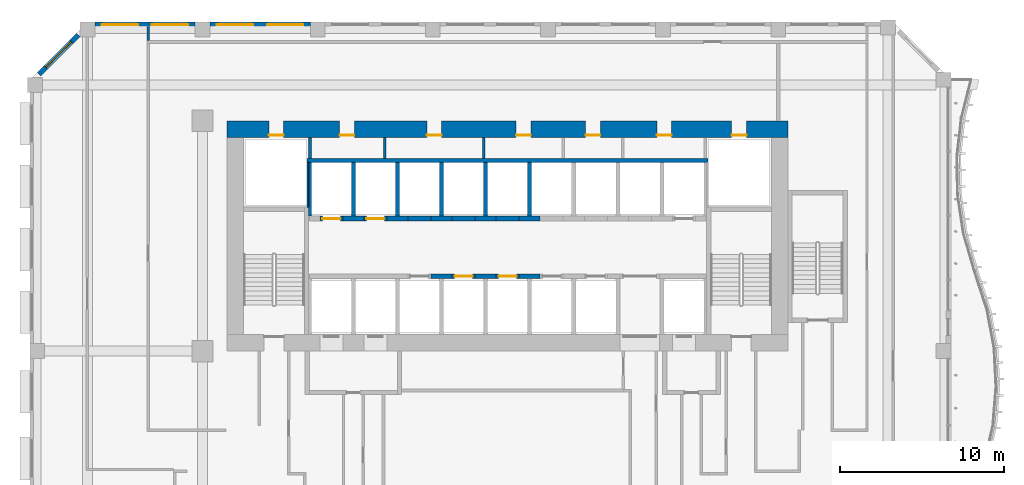
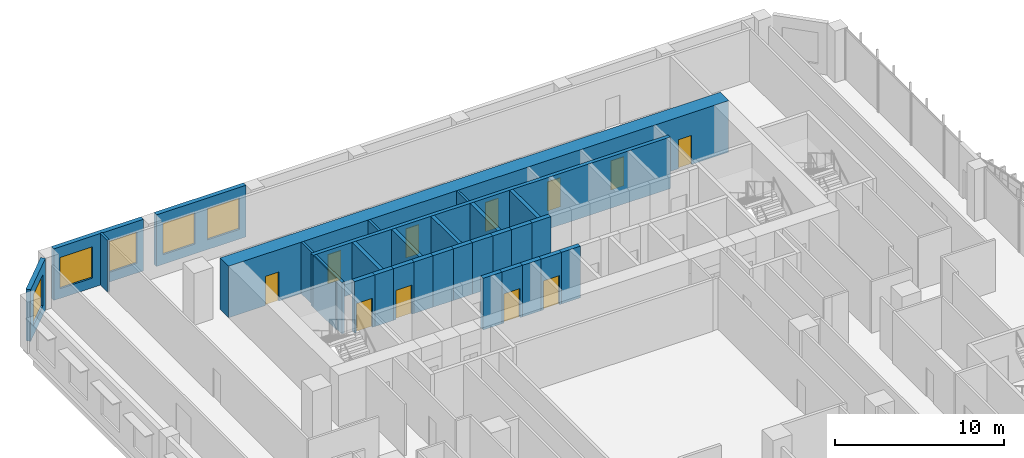
# One storey, part 13 of 27: 31 walls, 11 doors, 5 windows, 16 openings.
"""IFC4 building model written with IfcOpenShell, lengths in metres."""

from ifc_helpers import new_model, si_unit, direction, frame, frame_2d, origin, place, context, subcontext, project, spatial, rectangle, extrude, source, transform, mapped, material, layer, layer_set, type_object, element, fill, save


model = new_model("IFC4")

# Units and contexts
model_context = context("Model", 3, precision=1e-05, world=origin(), true_north=direction((0.0, 1.0)))
body_context = subcontext(model_context, "Body", "Model", "MODEL_VIEW")
ifc_project = project(units=[si_unit("LENGTHUNIT", "METRE"), si_unit("AREAUNIT", "SQUARE_METRE"), si_unit("VOLUMEUNIT", "CUBIC_METRE"), si_unit("PLANEANGLEUNIT", "RADIAN"), si_unit("MASSUNIT", "GRAM", prefix="KILO")], contexts=[model_context])

# Site, building, storey
site_placement = place(None, origin())
site = spatial("IfcSite", under=ifc_project, at=site_placement, CompositionType="ELEMENT")
building_placement = place(site_placement, origin())
building = spatial("IfcBuilding", under=site, at=building_placement, Name="Kilnfold Tower and Market Hall", CompositionType="ELEMENT")
storey_placement = place(building_placement, frame((0.0, 0.0, 47.0)))
storey = spatial("IfcBuildingStorey", under=building, at=storey_placement, Name="L10", CompositionType="ELEMENT", Elevation=47.0)

# Wall
ifc_material_1 = material(Name="Gypsum board on steel studs", Category="steel")
ifc_layer_1 = layer(ifc_material_1, 0.14990234375)
ifc_layer_set_1 = layer_set([ifc_layer_1], Name="Gypsum board on steel studs")
wall_type_1 = type_object("IfcWallType", Name="WALL CORRIDOR 150", PredefinedType="PARTITIONING", material=ifc_layer_set_1)
wall_1_placement = place(storey_placement, frame((-20.800048828125, 26.89111328125, 0.0), z_axis=(0.0, 0.0, 1.0), x_axis=(0.0, 1.0, 0.0)))
element("IfcWall", 1, at=wall_1_placement, inside=storey, type_object=wall_type_1, Name="Partition LY09.53", PredefinedType="PARTITIONING", context=body_context, shape_type="SweptSolid", body=[
    extrude(rectangle(XDim=0.85888671875, YDim=0.14990234375, at=frame_2d((0.429443359375, 0.0))), origin(), (0.0, 0.0, 1.0), 3.719970703125),
])

# Wall, openings, doors
ifc_material_2 = material(Name="Concrete C80", Category="concrete")
ifc_layer_2 = layer(ifc_material_2, 1.0)
ifc_layer_set_2 = layer_set([ifc_layer_2], Name="Concrete C80")
wall_type_2 = type_object("IfcWallType", Name="CORE WALL 1000 C80", PredefinedType="SHEAR", material=ifc_layer_set_2)
shared_shape_1 = source(origin(), body_context, "Body", "SweptSolid", [
    extrude(rectangle(XDim=34.10009765625, YDim=1.0, at=frame_2d((17.050048828125, 0.0))), origin(), (0.0, 0.0, 1.0), 3.719970703125),
])
wall_2_placement = place(storey_placement, frame((-16.0, 21.5, 0.0), z_axis=(0.0, 0.0, 1.0), x_axis=(1.0, 0.0, 0.0)))
wall_2 = element("IfcWall", 2, at=wall_2_placement, inside=storey, type_object=wall_type_2, Name="Core outer wall north", PredefinedType="SHEAR", context=body_context, shape_type="MappedRepresentation", body=[
    mapped(shared_shape_1, transform((0.0, 0.0, 0.0))),
])
opening_1_placement = place(wall_2_placement, frame((6.831298828125, 0.0, 0.0)))
opening_1 = element("IfcOpeningElement", 3, at=opening_1_placement, cuts=wall_2, Name="Opening KD1", PredefinedType="OPENING", context=body_context, shape_type="SweptSolid", body=[
    extrude(rectangle(XDim=0.89990234375, YDim=2.10009765625, at=frame_2d((0.449951171875, 1.050048828125))), frame((0.0, 0.510009765625, 0.0), z_axis=(0.0, -1.0, 0.0), x_axis=(1.0, 0.0, 0.0)), (0.0, 0.0, 1.0), 1.02001953125),
])
opening_2_placement = place(wall_2_placement, frame((12.1376953125, 0.0, 0.0)))
opening_2 = element("IfcOpeningElement", 4, at=opening_2_placement, cuts=wall_2, Name="Opening KD1", PredefinedType="OPENING", context=body_context, shape_type="SweptSolid", body=[
    extrude(rectangle(XDim=0.89990234375, YDim=2.10009765625, at=frame_2d((0.449951171875, 1.050048828125))), frame((0.0, 0.510009765625, 0.0), z_axis=(0.0, -1.0, 0.0), x_axis=(1.0, 0.0, 0.0)), (0.0, 0.0, 1.0), 1.02001953125),
])
opening_3_placement = place(wall_2_placement, frame((17.564697265625, 0.0, 0.0)))
opening_3 = element("IfcOpeningElement", 5, at=opening_3_placement, cuts=wall_2, Name="Opening KD1", PredefinedType="OPENING", context=body_context, shape_type="SweptSolid", body=[
    extrude(rectangle(XDim=0.89990234375, YDim=2.10009765625, at=frame_2d((0.449951171875, 1.050048828125))), frame((0.0, 0.510009765625, 0.0), z_axis=(0.0, -1.0, 0.0), x_axis=(1.0, 0.0, 0.0)), (0.0, 0.0, 1.0), 1.02001953125),
])
opening_4_placement = place(wall_2_placement, frame((21.785888671875, 0.0, 0.0)))
opening_4 = element("IfcOpeningElement", 6, at=opening_4_placement, cuts=wall_2, Name="Opening KD1", PredefinedType="OPENING", context=body_context, shape_type="SweptSolid", body=[
    extrude(rectangle(XDim=0.89990234375, YDim=2.10009765625, at=frame_2d((0.449951171875, 1.050048828125))), frame((0.0, 0.510009765625, 0.0), z_axis=(0.0, -1.0, 0.0), x_axis=(1.0, 0.0, 0.0)), (0.0, 0.0, 1.0), 1.02001953125),
])
opening_5_placement = place(wall_2_placement, frame((26.12744140625, 0.0, 0.0)))
opening_5 = element("IfcOpeningElement", 7, at=opening_5_placement, cuts=wall_2, Name="Opening KD1", PredefinedType="OPENING", context=body_context, shape_type="SweptSolid", body=[
    extrude(rectangle(XDim=0.89990234375, YDim=2.10009765625, at=frame_2d((0.449951171875, 1.050048828125))), frame((0.0, 0.510009765625, 0.0), z_axis=(0.0, -1.0, 0.0), x_axis=(1.0, 0.0, 0.0)), (0.0, 0.0, 1.0), 1.02001953125),
])
opening_6_placement = place(wall_2_placement, frame((2.52490234375, 0.0, 0.0)))
opening_6 = element("IfcOpeningElement", 8, at=opening_6_placement, cuts=wall_2, Name="Opening KD1", PredefinedType="OPENING", context=body_context, shape_type="SweptSolid", body=[
    extrude(rectangle(XDim=0.89990234375, YDim=2.10009765625, at=frame_2d((0.449951171875, 1.050048828125))), frame((0.0, 0.510009765625, 0.0), z_axis=(0.0, -1.0, 0.0), x_axis=(1.0, 0.0, 0.0)), (0.0, 0.0, 1.0), 1.02001953125),
])
opening_7_placement = place(wall_2_placement, frame((30.675048828125, 0.0, 0.0)))
opening_7 = element("IfcOpeningElement", 9, at=opening_7_placement, cuts=wall_2, Name="Opening KD1", PredefinedType="OPENING", context=body_context, shape_type="SweptSolid", body=[
    extrude(rectangle(XDim=0.89990234375, YDim=2.10009765625, at=frame_2d((0.449951171875, 1.050048828125))), frame((0.0, 0.510009765625, 0.0), z_axis=(0.0, -1.0, 0.0), x_axis=(1.0, 0.0, 0.0)), (0.0, 0.0, 1.0), 1.02001953125),
])
ifc_material_3 = material(Name="Steel door set with fire-resisting leaf", Category="steel")
door_type_1 = type_object("IfcDoorType", Name="SERVICE DOOR 900X2100", OperationType="NOTDEFINED", PredefinedType="DOOR", material=ifc_material_3)
door_1_placement = place(opening_1_placement, origin())
door_1 = element("IfcDoor", 10, at=door_1_placement, inside=storey, type_object=door_type_1, Name="Core service door", OperationType="SINGLE_SWING_RIGHT", OverallHeight=2.10009765625, OverallWidth=0.89990234375, PredefinedType="DOOR", context=body_context, shape_type="SweptSolid", body=[
    extrude(rectangle(XDim=0.89990234375, YDim=2.10009765625, at=frame_2d((0.449951171875, 1.050048828125))), frame((0.0, -0.35498046875, 0.0), z_axis=(0.0, -1.0, 0.0), x_axis=(1.0, 0.0, 0.0)), (0.0, 0.0, 1.0), 0.050048828125),
])
fill(opening_1, door_1)
door_2_placement = place(opening_2_placement, origin())
door_2 = element("IfcDoor", 11, at=door_2_placement, inside=storey, type_object=door_type_1, Name="Core service door", OperationType="SINGLE_SWING_LEFT", OverallHeight=2.10009765625, OverallWidth=0.89990234375, PredefinedType="DOOR", context=body_context, shape_type="SweptSolid", body=[
    extrude(rectangle(XDim=0.89990234375, YDim=2.10009765625, at=frame_2d((0.449951171875, 1.050048828125))), frame((0.0, -0.35498046875, 0.0), z_axis=(0.0, -1.0, 0.0), x_axis=(1.0, 0.0, 0.0)), (0.0, 0.0, 1.0), 0.050048828125),
])
fill(opening_2, door_2)
door_3_placement = place(opening_3_placement, origin())
door_3 = element("IfcDoor", 12, at=door_3_placement, inside=storey, type_object=door_type_1, Name="Core service door", OperationType="SINGLE_SWING_RIGHT", OverallHeight=2.10009765625, OverallWidth=0.89990234375, PredefinedType="DOOR", context=body_context, shape_type="SweptSolid", body=[
    extrude(rectangle(XDim=0.89990234375, YDim=2.10009765625, at=frame_2d((0.449951171875, 1.050048828125))), frame((0.0, -0.35498046875, 0.0), z_axis=(0.0, -1.0, 0.0), x_axis=(1.0, 0.0, 0.0)), (0.0, 0.0, 1.0), 0.050048828125),
])
fill(opening_3, door_3)
door_4_placement = place(opening_4_placement, origin())
door_4 = element("IfcDoor", 13, at=door_4_placement, inside=storey, type_object=door_type_1, Name="Core service door", OperationType="SINGLE_SWING_LEFT", OverallHeight=2.10009765625, OverallWidth=0.89990234375, PredefinedType="DOOR", context=body_context, shape_type="SweptSolid", body=[
    extrude(rectangle(XDim=0.89990234375, YDim=2.10009765625, at=frame_2d((0.449951171875, 1.050048828125))), frame((0.0, -0.35498046875, 0.0), z_axis=(0.0, -1.0, 0.0), x_axis=(1.0, 0.0, 0.0)), (0.0, 0.0, 1.0), 0.050048828125),
])
fill(opening_4, door_4)
door_5_placement = place(opening_5_placement, origin())
door_5 = element("IfcDoor", 14, at=door_5_placement, inside=storey, type_object=door_type_1, Name="Core service door", OperationType="SINGLE_SWING_RIGHT", OverallHeight=2.10009765625, OverallWidth=0.89990234375, PredefinedType="DOOR", context=body_context, shape_type="SweptSolid", body=[
    extrude(rectangle(XDim=0.89990234375, YDim=2.10009765625, at=frame_2d((0.449951171875, 1.050048828125))), frame((0.0, -0.35498046875, 0.0), z_axis=(0.0, -1.0, 0.0), x_axis=(1.0, 0.0, 0.0)), (0.0, 0.0, 1.0), 0.050048828125),
])
fill(opening_5, door_5)
door_6_placement = place(opening_6_placement, origin())
door_6 = element("IfcDoor", 15, at=door_6_placement, inside=storey, type_object=door_type_1, Name="Electrical riser access door", OperationType="SINGLE_SWING_LEFT", OverallHeight=2.10009765625, OverallWidth=0.89990234375, PredefinedType="DOOR", context=body_context, shape_type="SweptSolid", body=[
    extrude(rectangle(XDim=0.89990234375, YDim=2.10009765625, at=frame_2d((0.449951171875, 1.050048828125))), frame((0.0, -0.35498046875, 0.0), z_axis=(0.0, -1.0, 0.0), x_axis=(1.0, 0.0, 0.0)), (0.0, 0.0, 1.0), 0.050048828125),
])
fill(opening_6, door_6)
door_7_placement = place(opening_7_placement, origin())
door_7 = element("IfcDoor", 16, at=door_7_placement, inside=storey, type_object=door_type_1, Name="Mechanical riser access door", OperationType="SINGLE_SWING_RIGHT", OverallHeight=2.10009765625, OverallWidth=0.89990234375, PredefinedType="DOOR", context=body_context, shape_type="SweptSolid", body=[
    extrude(rectangle(XDim=0.89990234375, YDim=2.10009765625, at=frame_2d((0.449951171875, 1.050048828125))), frame((0.0, -0.35498046875, 0.0), z_axis=(0.0, -1.0, 0.0), x_axis=(1.0, 0.0, 0.0)), (0.0, 0.0, 1.0), 0.050048828125),
])
fill(opening_7, door_7)

# Walls
ifc_material_4 = material(Name="Concrete C80", Category="concrete")
ifc_layer_3 = layer(ifc_material_4, 0.300048828125)
ifc_layer_set_3 = layer_set([ifc_layer_3], Name="Concrete C80")
wall_type_3 = type_object("IfcWallType", Name="CORE WALL 300 C80", PredefinedType="SHEAR", material=ifc_layer_set_3)
shared_shape_2 = source(origin(), body_context, "Body", "SweptSolid", [
    extrude(rectangle(XDim=1.280029296875, YDim=0.300048828125, at=frame_2d((0.64013671875, 0.0))), origin(), (0.0, 0.0, 1.0), 3.719970703125),
])
for number, where, z_axis, x_axis, name in (
    (17, (-3.610107421875, 12.550048828125, 0.0), (0.0, 0.0, 1.0), (1.0, 0.0, 0.0), "Core spine wall"),
    (18, (-0.929931640625, 12.550048828125, 0.0), (0.0, 0.0, 1.0), (1.0, 0.0, 0.0), "Core spine wall"),
    (19, (1.75, 12.550048828125, 0.0), (0.0, 0.0, 1.0), (1.0, 0.0, 0.0), "Core spine wall"),
    (20, (-8.969970703125, 16.050048828125, 0.0), (0.0, 0.0, 1.0), (1.0, 0.0, 0.0), "Core spine wall"),
    (21, (-6.2900390625, 16.050048828125, 0.0), (0.0, 0.0, 1.0), (1.0, 0.0, 0.0), "Core spine wall"),
    (22, (-3.610107421875, 16.050048828125, 0.0), (0.0, 0.0, 1.0), (1.0, 0.0, 0.0), "Core spine wall"),
    (23, (-0.929931640625, 16.050048828125, 0.0), (0.0, 0.0, 1.0), (1.0, 0.0, 0.0), "Core spine wall"),
    (24, (1.75, 16.050048828125, 0.0), (0.0, 0.0, 1.0), (1.0, 0.0, 0.0), "Core spine wall"),
):
    element("IfcWall", number, at=place(storey_placement, frame(where, z_axis=z_axis, x_axis=x_axis)), inside=storey, type_object=wall_type_3, Name=name, PredefinedType="SHEAR", context=body_context, shape_type="MappedRepresentation", body=[
        mapped(shared_shape_2, transform((0.0, 0.0, 0.0))),
    ])

# Wall, opening, window
ifc_material_5 = material(Name="Precast concrete C50/60", Category="concrete")
ifc_layer_4 = layer(ifc_material_5, 0.300048828125)
ifc_layer_set_4 = layer_set([ifc_layer_4], Name="Precast concrete C50/60")
wall_type_4 = type_object("IfcWallType", Name="PRECAST WALL 300", PredefinedType="SOLIDWALL", material=ifc_layer_set_4)
shared_shape_3 = source(origin(), body_context, "Body", "SweptSolid", [
    extrude(rectangle(XDim=3.35888671875, YDim=0.300048828125, at=frame_2d((1.679443359375, 0.0))), origin(), (0.0, 0.0, 1.0), 3.719970703125),
])
wall_3_placement = place(storey_placement, frame((-25.06884765625, 27.218994140625, 0.0), z_axis=(0.0, 0.0, 1.0), x_axis=(-0.707143122278, -0.707070438228, 0.0)))
wall_3 = element("IfcWall", 25, at=wall_3_placement, inside=storey, type_object=wall_type_4, Name="External wall L10 NW", PredefinedType="SOLIDWALL", context=body_context, shape_type="MappedRepresentation", body=[
    mapped(shared_shape_3, transform((0.0, 0.0, 0.0))),
])
opening_8_placement = place(wall_3_placement, frame((0.579345703125, 0.0, 0.699951171875)))
opening_8 = element("IfcOpeningElement", 26, at=opening_8_placement, cuts=wall_3, Name="Opening W1", PredefinedType="OPENING", context=body_context, shape_type="SweptSolid", body=[
    extrude(rectangle(XDim=2.199951171875, YDim=2.25, at=frame_2d((1.10009765625, 1.125))), frame((0.0, 0.16015625, 0.0), z_axis=(0.0, -1.0, 0.0), x_axis=(1.0, 0.0, 0.0)), (0.0, 0.0, 1.0), 0.320068359375),
])
ifc_material_6 = material(Name="Aluminium frame and double glazing", Category="aluminium")
window_type = type_object("IfcWindowType", Name="WINDOW W1 2200X2250", PartitioningType="SINGLE_PANEL", PredefinedType="WINDOW", material=ifc_material_6)
window_1_placement = place(opening_8_placement, origin())
window_1 = element("IfcWindow", 27, at=window_1_placement, inside=storey, type_object=window_type, Name="Window W1 L10 NW-1", OverallHeight=2.25, OverallWidth=2.199951171875, PartitioningType="SINGLE_PANEL", PredefinedType="WINDOW", context=body_context, shape_type="SweptSolid", body=[
    extrude(rectangle(XDim=2.199951171875, YDim=2.25, at=frame_2d((1.10009765625, 1.125))), frame((0.0, 0.030029296875, 0.0), z_axis=(0.0, -1.0, 0.0), x_axis=(1.0, 0.0, 0.0)), (0.0, 0.0, 1.0), 0.06005859375),
])
fill(opening_8, window_1)

# Wall, openings, windows
shared_shape_4 = source(origin(), body_context, "Body", "SweptSolid", [
    extrude(rectangle(XDim=6.10009765625, YDim=0.300048828125, at=frame_2d((3.050048828125, 0.0))), origin(), (0.0, 0.0, 1.0), 3.719970703125),
])
wall_4_placement = place(storey_placement, frame((-10.949951171875, 27.85009765625, 0.0), z_axis=(0.0, 0.0, 1.0), x_axis=(-1.0, 0.0, 0.0)))
wall_4 = element("IfcWall", 28, at=wall_4_placement, inside=storey, type_object=wall_type_4, Name="External wall L10 N", PredefinedType="SOLIDWALL", context=body_context, shape_type="MappedRepresentation", body=[
    mapped(shared_shape_4, transform((0.0, 0.0, 0.0))),
])
opening_9_placement = place(wall_4_placement, frame((0.425048828125, 0.0, 0.699951171875)))
opening_9 = element("IfcOpeningElement", 29, at=opening_9_placement, cuts=wall_4, Name="Opening W1", PredefinedType="OPENING", context=body_context, shape_type="SweptSolid", body=[
    extrude(rectangle(XDim=2.199951171875, YDim=2.25, at=frame_2d((1.10009765625, 1.125))), frame((0.0, 0.16015625, 0.0), z_axis=(0.0, -1.0, 0.0), x_axis=(1.0, 0.0, 0.0)), (0.0, 0.0, 1.0), 0.320068359375),
])
opening_10_placement = place(wall_4_placement, frame((3.47509765625, 0.0, 0.699951171875)))
opening_10 = element("IfcOpeningElement", 30, at=opening_10_placement, cuts=wall_4, Name="Opening W1", PredefinedType="OPENING", context=body_context, shape_type="SweptSolid", body=[
    extrude(rectangle(XDim=2.199951171875, YDim=2.25, at=frame_2d((1.10009765625, 1.125))), frame((0.0, 0.16015625, 0.0), z_axis=(0.0, -1.0, 0.0), x_axis=(1.0, 0.0, 0.0)), (0.0, 0.0, 1.0), 0.320068359375),
])
window_2_placement = place(opening_9_placement, origin())
window_2 = element("IfcWindow", 31, at=window_2_placement, inside=storey, type_object=window_type, Name="Window W1 L10 N-1", OverallHeight=2.25, OverallWidth=2.199951171875, PartitioningType="SINGLE_PANEL", PredefinedType="WINDOW", context=body_context, shape_type="SweptSolid", body=[
    extrude(rectangle(XDim=2.199951171875, YDim=2.25, at=frame_2d((1.10009765625, 1.125))), frame((0.0, 0.030029296875, 0.0), z_axis=(0.0, -1.0, 0.0), x_axis=(1.0, 0.0, 0.0)), (0.0, 0.0, 1.0), 0.06005859375),
])
fill(opening_9, window_2)
window_3_placement = place(opening_10_placement, origin())
window_3 = element("IfcWindow", 32, at=window_3_placement, inside=storey, type_object=window_type, Name="Window W1 L10 N-2", OverallHeight=2.25, OverallWidth=2.199951171875, PartitioningType="SINGLE_PANEL", PredefinedType="WINDOW", context=body_context, shape_type="SweptSolid", body=[
    extrude(rectangle(XDim=2.199951171875, YDim=2.25, at=frame_2d((1.10009765625, 1.125))), frame((0.0, 0.030029296875, 0.0), z_axis=(0.0, -1.0, 0.0), x_axis=(1.0, 0.0, 0.0)), (0.0, 0.0, 1.0), 0.06005859375),
])
fill(opening_10, window_3)

wall_5_placement = place(storey_placement, frame((-17.949951171875, 27.85009765625, 0.0), z_axis=(0.0, 0.0, 1.0), x_axis=(-1.0, 0.0, 0.0)))
wall_5 = element("IfcWall", 33, at=wall_5_placement, inside=storey, type_object=wall_type_4, Name="External wall L10 N", PredefinedType="SOLIDWALL", context=body_context, shape_type="MappedRepresentation", body=[
    mapped(shared_shape_4, transform((0.0, 0.0, 0.0))),
])
opening_11_placement = place(wall_5_placement, frame((0.425048828125, 0.0, 0.699951171875)))
opening_11 = element("IfcOpeningElement", 34, at=opening_11_placement, cuts=wall_5, Name="Opening W1", PredefinedType="OPENING", context=body_context, shape_type="SweptSolid", body=[
    extrude(rectangle(XDim=2.199951171875, YDim=2.25, at=frame_2d((1.10009765625, 1.125))), frame((0.0, 0.16015625, 0.0), z_axis=(0.0, -1.0, 0.0), x_axis=(1.0, 0.0, 0.0)), (0.0, 0.0, 1.0), 0.320068359375),
])
opening_12_placement = place(wall_5_placement, frame((3.47509765625, 0.0, 0.699951171875)))
opening_12 = element("IfcOpeningElement", 35, at=opening_12_placement, cuts=wall_5, Name="Opening W1", PredefinedType="OPENING", context=body_context, shape_type="SweptSolid", body=[
    extrude(rectangle(XDim=2.199951171875, YDim=2.25, at=frame_2d((1.10009765625, 1.125))), frame((0.0, 0.16015625, 0.0), z_axis=(0.0, -1.0, 0.0), x_axis=(1.0, 0.0, 0.0)), (0.0, 0.0, 1.0), 0.320068359375),
])
window_4_placement = place(opening_11_placement, origin())
window_4 = element("IfcWindow", 36, at=window_4_placement, inside=storey, type_object=window_type, Name="Window W1 L10 N-1", OverallHeight=2.25, OverallWidth=2.199951171875, PartitioningType="SINGLE_PANEL", PredefinedType="WINDOW", context=body_context, shape_type="SweptSolid", body=[
    extrude(rectangle(XDim=2.199951171875, YDim=2.25, at=frame_2d((1.10009765625, 1.125))), frame((0.0, 0.030029296875, 0.0), z_axis=(0.0, -1.0, 0.0), x_axis=(1.0, 0.0, 0.0)), (0.0, 0.0, 1.0), 0.06005859375),
])
fill(opening_11, window_4)
window_5_placement = place(opening_12_placement, origin())
window_5 = element("IfcWindow", 37, at=window_5_placement, inside=storey, type_object=window_type, Name="Window W1 L10 N-2", OverallHeight=2.25, OverallWidth=2.199951171875, PartitioningType="SINGLE_PANEL", PredefinedType="WINDOW", context=body_context, shape_type="SweptSolid", body=[
    extrude(rectangle(XDim=2.199951171875, YDim=2.25, at=frame_2d((1.10009765625, 1.125))), frame((0.0, 0.030029296875, 0.0), z_axis=(0.0, -1.0, 0.0), x_axis=(1.0, 0.0, 0.0)), (0.0, 0.0, 1.0), 0.06005859375),
])
fill(opening_12, window_5)

# Wall, opening, door
ifc_material_7 = material(Name="Gypsum shaft wall system")
ifc_layer_5 = layer(ifc_material_7, 0.300048828125)
ifc_layer_set_5 = layer_set([ifc_layer_5], Name="Gypsum shaft wall system")
wall_type_5 = type_object("IfcWallType", Name="SHAFT WALL 300", PredefinedType="PARTITIONING", material=ifc_layer_set_5)
shared_shape_5 = source(origin(), body_context, "Body", "SweptSolid", [
    extrude(rectangle(XDim=1.39990234375, YDim=0.300048828125, at=frame_2d((0.699951171875, 0.0))), origin(), (0.0, 0.0, 1.0), 3.719970703125),
])
wall_6_placement = place(storey_placement, frame((0.35009765625, 12.550048828125, 0.0), z_axis=(0.0, 0.0, 1.0), x_axis=(1.0, 0.0, 0.0)))
wall_6 = element("IfcWall", 38, at=wall_6_placement, inside=storey, type_object=wall_type_5, Name="Lift shaft front wall", PredefinedType="PARTITIONING", context=body_context, shape_type="MappedRepresentation", body=[
    mapped(shared_shape_5, transform((0.0, 0.0, 0.0))),
])
opening_13_placement = place(wall_6_placement, frame((0.14990234375, 0.0, 0.0)))
opening_13 = element("IfcOpeningElement", 39, at=opening_13_placement, cuts=wall_6, Name="Opening LD2", PredefinedType="OPENING", context=body_context, shape_type="SweptSolid", body=[
    extrude(rectangle(XDim=1.10009765625, YDim=2.10009765625, at=frame_2d((0.550048828125, 1.050048828125))), frame((0.0, 0.16015625, 0.0), z_axis=(0.0, -1.0, 0.0), x_axis=(1.0, 0.0, 0.0)), (0.0, 0.0, 1.0), 0.320068359375),
])
ifc_material_8 = material(Name="Steel door set with fire-resisting leaf", Category="steel")
door_type_2 = type_object("IfcDoorType", Name="LANDING DOOR 1100X2100", OperationType="NOTDEFINED", PredefinedType="DOOR", material=ifc_material_8)
door_8_placement = place(opening_13_placement, origin())
door_8 = element("IfcDoor", 40, at=door_8_placement, inside=storey, type_object=door_type_2, Name="Landing door LR3", OperationType="DOUBLE_DOOR_SLIDING", OverallHeight=2.10009765625, OverallWidth=1.10009765625, PredefinedType="DOOR", context=body_context, shape_type="SweptSolid", body=[
    extrude(rectangle(XDim=1.10009765625, YDim=2.10009765625, at=frame_2d((0.550048828125, 1.050048828125))), frame((0.0, 0.02490234375, 0.0), z_axis=(0.0, -1.0, 0.0), x_axis=(1.0, 0.0, 0.0)), (0.0, 0.0, 1.0), 0.050048828125),
])
fill(opening_13, door_8)

wall_7_placement = place(storey_placement, frame((-7.68994140625, 16.050048828125, 0.0), z_axis=(0.0, 0.0, 1.0), x_axis=(1.0, 0.0, 0.0)))
wall_7 = element("IfcWall", 41, at=wall_7_placement, inside=storey, type_object=wall_type_5, Name="Lift shaft front wall", PredefinedType="PARTITIONING", context=body_context, shape_type="MappedRepresentation", body=[
    mapped(shared_shape_5, transform((0.0, 0.0, 0.0))),
])
opening_14_placement = place(wall_7_placement, frame((0.14990234375, 0.0, 0.0)))
opening_14 = element("IfcOpeningElement", 42, at=opening_14_placement, cuts=wall_7, Name="Opening LD2", PredefinedType="OPENING", context=body_context, shape_type="SweptSolid", body=[
    extrude(rectangle(XDim=1.10009765625, YDim=2.10009765625, at=frame_2d((0.550048828125, 1.050048828125))), frame((0.0, 0.16015625, 0.0), z_axis=(0.0, -1.0, 0.0), x_axis=(1.0, 0.0, 0.0)), (0.0, 0.0, 1.0), 0.320068359375),
])
door_9_placement = place(opening_14_placement, origin())
door_9 = element("IfcDoor", 43, at=door_9_placement, inside=storey, type_object=door_type_2, Name="Landing door LR8", OperationType="DOUBLE_DOOR_SLIDING", OverallHeight=2.10009765625, OverallWidth=1.10009765625, PredefinedType="DOOR", context=body_context, shape_type="SweptSolid", body=[
    extrude(rectangle(XDim=1.10009765625, YDim=2.10009765625, at=frame_2d((0.550048828125, 1.050048828125))), frame((0.0, 0.02490234375, 0.0), z_axis=(0.0, -1.0, 0.0), x_axis=(1.0, 0.0, 0.0)), (0.0, 0.0, 1.0), 0.050048828125),
])
fill(opening_14, door_9)

# Walls
for number, where, z_axis, x_axis, name in (
    (44, (-5.010009765625, 16.050048828125, 0.0), (0.0, 0.0, 1.0), (1.0, 0.0, 0.0), "Lift shaft front wall"),
    (45, (0.35009765625, 16.050048828125, 0.0), (0.0, 0.0, 1.0), (1.0, 0.0, 0.0), "Lift shaft front wall"),
):
    element("IfcWall", number, at=place(storey_placement, frame(where, z_axis=z_axis, x_axis=x_axis)), inside=storey, type_object=wall_type_5, Name=name, PredefinedType="PARTITIONING", context=body_context, shape_type="MappedRepresentation", body=[
        mapped(shared_shape_5, transform((0.0, 0.0, 0.0))),
    ])

# Wall, opening, door
shared_shape_6 = source(origin(), body_context, "Body", "SweptSolid", [
    extrude(rectangle(XDim=1.400146484375, YDim=0.300048828125, at=frame_2d((0.7001953125, 0.0))), origin(), (0.0, 0.0, 1.0), 3.719970703125),
])
wall_8_placement = place(storey_placement, frame((-2.330078125, 12.550048828125, 0.0), z_axis=(0.0, 0.0, 1.0), x_axis=(1.0, 0.0, 0.0)))
wall_8 = element("IfcWall", 46, at=wall_8_placement, inside=storey, type_object=wall_type_5, Name="Lift shaft front wall", PredefinedType="PARTITIONING", context=body_context, shape_type="MappedRepresentation", body=[
    mapped(shared_shape_6, transform((0.0, 0.0, 0.0))),
])
opening_15_placement = place(wall_8_placement, frame((0.14990234375, 0.0, 0.0)))
opening_15 = element("IfcOpeningElement", 47, at=opening_15_placement, cuts=wall_8, Name="Opening LD2", PredefinedType="OPENING", context=body_context, shape_type="SweptSolid", body=[
    extrude(rectangle(XDim=1.10009765625, YDim=2.10009765625, at=frame_2d((0.550048828125, 1.050048828125))), frame((0.0, 0.16015625, 0.0), z_axis=(0.0, -1.0, 0.0), x_axis=(1.0, 0.0, 0.0)), (0.0, 0.0, 1.0), 0.320068359375),
])
door_10_placement = place(opening_15_placement, origin())
door_10 = element("IfcDoor", 48, at=door_10_placement, inside=storey, type_object=door_type_2, Name="Landing door LR2", OperationType="DOUBLE_DOOR_SLIDING", OverallHeight=2.10009765625, OverallWidth=1.10009765625, PredefinedType="DOOR", context=body_context, shape_type="SweptSolid", body=[
    extrude(rectangle(XDim=1.10009765625, YDim=2.10009765625, at=frame_2d((0.550048828125, 1.050048828125))), frame((0.0, 0.02490234375, 0.0), z_axis=(0.0, -1.0, 0.0), x_axis=(1.0, 0.0, 0.0)), (0.0, 0.0, 1.0), 0.050048828125),
])
fill(opening_15, door_10)

wall_9_placement = place(storey_placement, frame((-10.3701171875, 16.050048828125, 0.0), z_axis=(0.0, 0.0, 1.0), x_axis=(1.0, 0.0, 0.0)))
wall_9 = element("IfcWall", 49, at=wall_9_placement, inside=storey, type_object=wall_type_5, Name="Lift shaft front wall", PredefinedType="PARTITIONING", context=body_context, shape_type="MappedRepresentation", body=[
    mapped(shared_shape_6, transform((0.0, 0.0, 0.0))),
])
opening_16_placement = place(wall_9_placement, frame((0.14990234375, 0.0, 0.0)))
opening_16 = element("IfcOpeningElement", 50, at=opening_16_placement, cuts=wall_9, Name="Opening LD2", PredefinedType="OPENING", context=body_context, shape_type="SweptSolid", body=[
    extrude(rectangle(XDim=1.10009765625, YDim=2.10009765625, at=frame_2d((0.550048828125, 1.050048828125))), frame((0.0, 0.16015625, 0.0), z_axis=(0.0, -1.0, 0.0), x_axis=(1.0, 0.0, 0.0)), (0.0, 0.0, 1.0), 0.320068359375),
])
door_11_placement = place(opening_16_placement, origin())
door_11 = element("IfcDoor", 51, at=door_11_placement, inside=storey, type_object=door_type_2, Name="Landing door LR7", OperationType="DOUBLE_DOOR_SLIDING", OverallHeight=2.10009765625, OverallWidth=1.10009765625, PredefinedType="DOOR", context=body_context, shape_type="SweptSolid", body=[
    extrude(rectangle(XDim=1.10009765625, YDim=2.10009765625, at=frame_2d((0.550048828125, 1.050048828125))), frame((0.0, 0.02490234375, 0.0), z_axis=(0.0, -1.0, 0.0), x_axis=(1.0, 0.0, 0.0)), (0.0, 0.0, 1.0), 0.050048828125),
])
fill(opening_16, door_11)

# Walls
wall_10_placement = place(storey_placement, frame((-2.330078125, 16.050048828125, 0.0), z_axis=(0.0, 0.0, 1.0), x_axis=(1.0, 0.0, 0.0)))
element("IfcWall", 52, at=wall_10_placement, inside=storey, type_object=wall_type_5, Name="Lift shaft front wall", PredefinedType="PARTITIONING", context=body_context, shape_type="MappedRepresentation", body=[
    mapped(shared_shape_6, transform((0.0, 0.0, 0.0))),
])
ifc_material_9 = material(Name="Gypsum shaft wall system")
ifc_layer_6 = layer(ifc_material_9, 0.25)
ifc_layer_set_6 = layer_set([ifc_layer_6], Name="Gypsum shaft wall system")
wall_type_6 = type_object("IfcWallType", Name="SHAFT WALL 250", PredefinedType="PARTITIONING", material=ifc_layer_set_6)
shared_shape_7 = source(origin(), body_context, "Body", "SweptSolid", [
    extrude(rectangle(XDim=24.3701171875, YDim=0.25, at=frame_2d((12.18505859375, 0.0))), origin(), (0.0, 0.0, 1.0), 3.719970703125),
])
wall_11_placement = place(storey_placement, frame((-11.135009765625, 19.60009765625, 0.0), z_axis=(0.0, 0.0, 1.0), x_axis=(1.0, 0.0, 0.0)))
element("IfcWall", 53, at=wall_11_placement, inside=storey, type_object=wall_type_6, Name="Lift shaft wall", PredefinedType="PARTITIONING", context=body_context, shape_type="MappedRepresentation", body=[
    mapped(shared_shape_7, transform((0.0, 0.0, 0.0))),
])
ifc_material_10 = material(Name="Gypsum shaft wall system")
ifc_layer_7 = layer(ifc_material_10, 0.1650390625)
ifc_layer_set_7 = layer_set([ifc_layer_7], Name="Gypsum shaft wall system")
wall_type_7 = type_object("IfcWallType", Name="SHAFT WALL 165", PredefinedType="PARTITIONING", material=ifc_layer_set_7)
shared_shape_8 = source(origin(), body_context, "Body", "SweptSolid", [
    extrude(rectangle(XDim=3.275146484375, YDim=0.1650390625, at=frame_2d((1.6376953125, 0.0))), origin(), (0.0, 0.0, 1.0), 3.719970703125),
])
wall_12_placement = place(storey_placement, frame((-10.967529296875, 16.199951171875, 0.0), z_axis=(0.0, 0.0, 1.0), x_axis=(0.0, 1.0, 0.0)))
element("IfcWall", 54, at=wall_12_placement, inside=storey, type_object=wall_type_7, Name="Lift shaft wall", PredefinedType="PARTITIONING", context=body_context, shape_type="MappedRepresentation", body=[
    mapped(shared_shape_8, transform((0.0, 0.0, 0.0))),
])
shared_shape_9 = source(origin(), body_context, "Body", "SweptSolid", [
    extrude(rectangle(XDim=1.27490234375, YDim=0.1650390625, at=frame_2d((0.637451171875, 0.0))), origin(), (0.0, 0.0, 1.0), 3.719970703125),
])
wall_13_placement = place(storey_placement, frame((-10.967529296875, 19.72509765625, 0.0), z_axis=(0.0, 0.0, 1.0), x_axis=(0.0, 1.0, 0.0)))
element("IfcWall", 55, at=wall_13_placement, inside=storey, type_object=wall_type_7, Name="Lift shaft wall", PredefinedType="PARTITIONING", context=body_context, shape_type="MappedRepresentation", body=[
    mapped(shared_shape_9, transform((0.0, 0.0, 0.0))),
])
shared_shape_10 = source(origin(), body_context, "Body", "SweptSolid", [
    extrude(rectangle(XDim=3.275146484375, YDim=0.25, at=frame_2d((1.6376953125, 0.0))), origin(), (0.0, 0.0, 1.0), 3.719970703125),
])
for number, where, z_axis, x_axis, name in (
    (56, (2.389892578125, 16.199951171875, 0.0), (0.0, 0.0, 1.0), (0.0, 1.0, 0.0), "Lift shaft wall"),
    (57, (-0.2900390625, 16.199951171875, 0.0), (0.0, 0.0, 1.0), (0.0, 1.0, 0.0), "Lift shaft wall"),
    (58, (-2.969970703125, 16.199951171875, 0.0), (0.0, 0.0, 1.0), (0.0, 1.0, 0.0), "Lift shaft wall"),
    (59, (-5.64990234375, 16.199951171875, 0.0), (0.0, 0.0, 1.0), (0.0, 1.0, 0.0), "Lift shaft wall"),
    (60, (-8.330078125, 16.199951171875, 0.0), (0.0, 0.0, 1.0), (0.0, 1.0, 0.0), "Lift shaft wall"),
):
    element("IfcWall", number, at=place(storey_placement, frame(where, z_axis=z_axis, x_axis=x_axis)), inside=storey, type_object=wall_type_6, Name=name, PredefinedType="PARTITIONING", context=body_context, shape_type="MappedRepresentation", body=[
        mapped(shared_shape_10, transform((0.0, 0.0, 0.0))),
    ])
ifc_material_11 = material(Name="Gypsum shaft wall system")
ifc_layer_8 = layer(ifc_material_11, 0.0849609375)
ifc_layer_set_8 = layer_set([ifc_layer_8], Name="Gypsum shaft wall system")
wall_type_8 = type_object("IfcWallType", Name="SHAFT WALL 85", PredefinedType="PARTITIONING", material=ifc_layer_set_8)
shared_shape_11 = source(origin(), body_context, "Body", "SweptSolid", [
    extrude(rectangle(XDim=2.72509765625, YDim=0.0849609375, at=frame_2d((1.362548828125, 0.0))), origin(), (0.0, 0.0, 1.0), 3.719970703125),
])
wall_14_placement = place(storey_placement, frame((-11.092529296875, 16.75, 0.0), z_axis=(0.0, 0.0, 1.0), x_axis=(0.0, 1.0, 0.0)))
element("IfcWall", 61, at=wall_14_placement, inside=storey, type_object=wall_type_8, Name="Lift shaft wall", PredefinedType="PARTITIONING", context=body_context, shape_type="MappedRepresentation", body=[
    mapped(shared_shape_11, transform((0.0, 0.0, 0.0))),
])
ifc_material_12 = material(Name="Gypsum shaft wall system")
ifc_layer_9 = layer(ifc_material_12, 0.14990234375)
ifc_layer_set_9 = layer_set([ifc_layer_9], Name="Gypsum shaft wall system")
wall_type_9 = type_object("IfcWallType", Name="ROOM WALL 150", PredefinedType="PARTITIONING", material=ifc_layer_set_9)
shared_shape_12 = source(origin(), body_context, "Body", "SweptSolid", [
    extrude(rectangle(XDim=1.27490234375, YDim=0.14990234375, at=frame_2d((0.637451171875, 0.0))), origin(), (0.0, 0.0, 1.0), 3.719970703125),
])
for number, where, z_axis, x_axis, name in (
    (62, (-6.42724609375, 19.72509765625, 0.0), (0.0, 0.0, 1.0), (0.0, 1.0, 0.0), "Core room wall"),
    (63, (-0.397216796875, 19.72509765625, 0.0), (0.0, 0.0, 1.0), (0.0, 1.0, 0.0), "Core room wall"),
):
    element("IfcWall", number, at=place(storey_placement, frame(where, z_axis=z_axis, x_axis=x_axis)), inside=storey, type_object=wall_type_9, Name=name, PredefinedType="PARTITIONING", context=body_context, shape_type="MappedRepresentation", body=[
        mapped(shared_shape_12, transform((0.0, 0.0, 0.0))),
    ])

save(model, "model.ifc")
